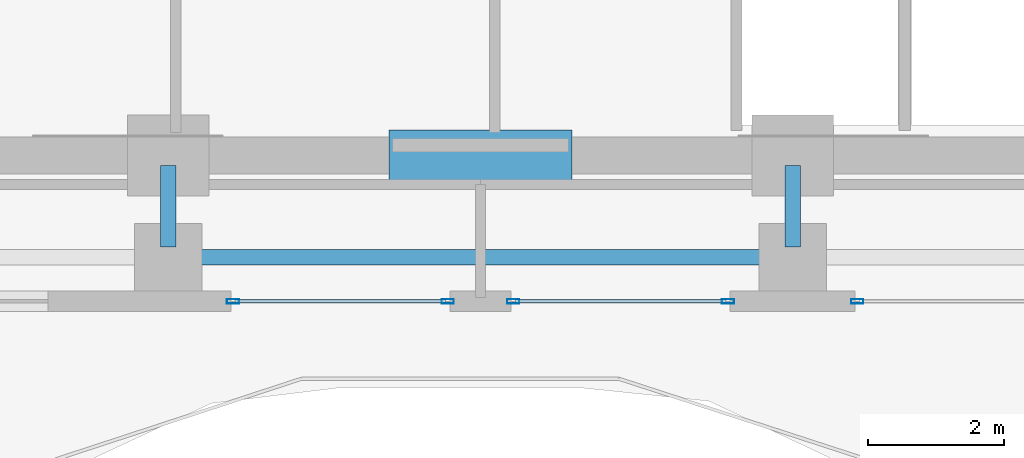
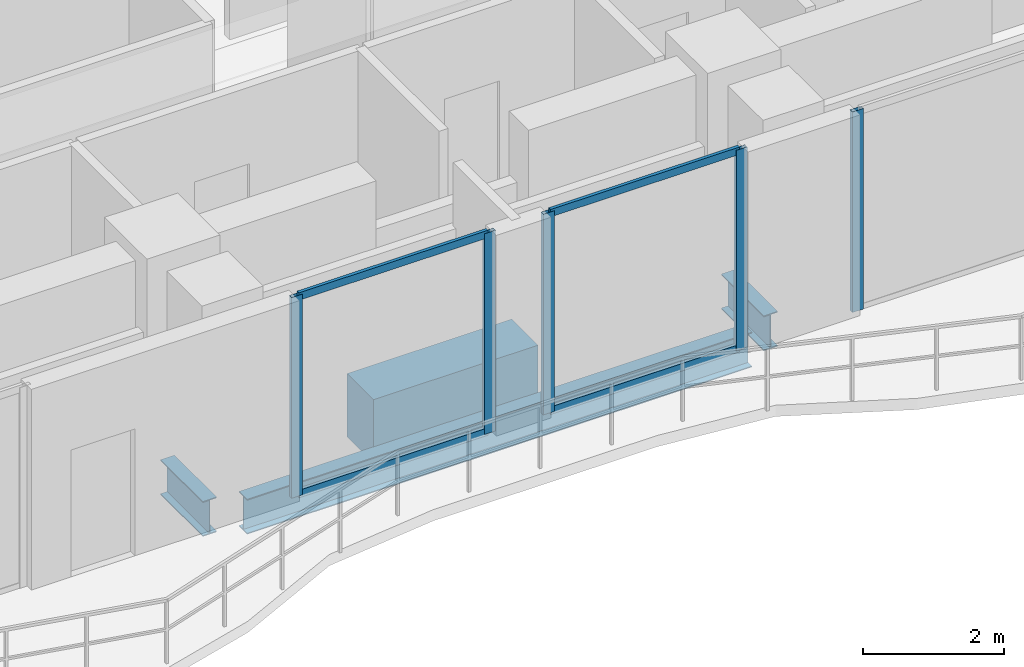
# One storey, part 4 of 26: 9 members, 4 beams, 3 elements without a shape of their own.
"""IFC4 building model written with IfcOpenShell, lengths in metres."""

from ifc_helpers import new_model, si_unit, direction, frame, origin, origin_2d, place, context, subcontext, project, spatial, rectangle, hollow_rectangle, i_section, extrude, material, layer, layer_set, material_profile, profile_set, type_object, element, aggregate, save


model = new_model("IFC4")

# Units and contexts
model_context = context("Model", 3, precision=1e-05, world=origin(), true_north=direction((0.0, 1.0)))
body_context = subcontext(model_context, "Body", "Model", "MODEL_VIEW")
ifc_project = project(units=[si_unit("LENGTHUNIT", "METRE"), si_unit("AREAUNIT", "SQUARE_METRE"), si_unit("VOLUMEUNIT", "CUBIC_METRE"), si_unit("PLANEANGLEUNIT", "RADIAN"), si_unit("MASSUNIT", "GRAM", prefix="KILO")], contexts=[model_context])

# Site, building, storey
site_placement = place(None, origin())
site = spatial("IfcSite", under=ifc_project, at=site_placement, CompositionType="ELEMENT")
building_placement = place(site_placement, origin())
building = spatial("IfcBuilding", under=site, at=building_placement, Name="Zuhayl Quay Hotel", CompositionType="ELEMENT")
storey_placement = place(building_placement, frame((0.0, 0.0, 254.449951171875)))
storey = spatial("IfcBuildingStorey", under=building, at=storey_placement, Name="L64", CompositionType="ELEMENT", Elevation=254.449951171875)

# Beams
ifc_material_1 = material(Name="Steel ASTM A992 Grade 50", Category="steel")
ifc_material_profile_1 = material_profile(ifc_material_1, i_section(OverallWidth=0.22802734375, OverallDepth=0.60693359375, WebThickness=0.01123046875, FlangeThickness=0.017333984375, at=origin_2d()), Name="W24X76")
ifc_profile_set_1 = profile_set([ifc_material_profile_1], Name="Steel ASTM A992 Grade 50")
beam_type_1 = type_object("IfcBeamType", Name="BM_B3_W24X76", PredefinedType="BEAM", material=ifc_profile_set_1)
beam_1_placement = place(storey_placement, frame((-4.139892578125, 0.64990234375, -0.5234375), z_axis=(1.0, 0.0, 0.0), x_axis=(0.0, 1.0, 0.0)))
element("IfcBeam", 1, at=beam_1_placement, inside=storey, type_object=beam_type_1, Name="L64 Floor Beam RG_L64_02", PredefinedType="BEAM", context=body_context, shape_type="SweptSolid", body=[
    extrude(i_section(OverallWidth=0.22802734375, OverallDepth=0.60693359375, WebThickness=0.01123046875, FlangeThickness=0.017333984375, at=origin_2d()), origin(), (0.0, 0.0, 1.0), 8.27978515625),
])
for number, where, z_axis, x_axis, name in (
    (2, (-4.60009765625, 0.800048828125, -0.5234375), (0.0, 1.0, 0.0), (-1.0, 0.0, 0.0), "L64 Floor Beam FG_S_L64_2"),
    (3, (4.60009765625, 0.800048828125, -0.5234375), (0.0, 1.0, 0.0), (-1.0, 0.0, 0.0), "L64 Floor Beam FG_S_L64_3"),
):
    element("IfcBeam", number, at=place(storey_placement, frame(where, z_axis=z_axis, x_axis=x_axis)), inside=storey, type_object=beam_type_1, Name=name, PredefinedType="BEAM", context=body_context, shape_type="SweptSolid", body=[
        extrude(i_section(OverallWidth=0.22802734375, OverallDepth=0.60693359375, WebThickness=0.01123046875, FlangeThickness=0.017333984375, at=origin_2d()), origin(), (0.0, 0.0, 1.0), 1.199951171875),
    ])
ifc_material_2 = material(Name="Concrete C60/75", Category="concrete")
ifc_material_profile_2 = material_profile(ifc_material_2, rectangle(XDim=0.75, YDim=1.10009765625, at=origin_2d()), Name="RC750X1100")
ifc_profile_set_2 = profile_set([ifc_material_profile_2], Name="Concrete C60/75")
beam_type_2 = type_object("IfcBeamType", Name="BM_CB2_RC750", PredefinedType="T_BEAM", material=ifc_profile_set_2)
beam_2_placement = place(storey_placement, frame((-1.35009765625, 2.14990234375, -0.77001953125), z_axis=(1.0, 0.0, 0.0), x_axis=(0.0, 1.0, 0.0)))
element("IfcBeam", 4, at=beam_2_placement, inside=storey, type_object=beam_type_2, Name="L64 Core Coupling Beam South", PredefinedType="T_BEAM", context=body_context, shape_type="SweptSolid", body=[
    extrude(rectangle(XDim=0.75, YDim=1.10009765625, at=origin_2d()), origin(), (0.0, 0.0, 1.0), 2.7001953125),
])

# Curtain wall, member
ifc_material_3 = material(Name="Anodised Aluminium 6063-T6", Category="aluminium")
ifc_layer = layer(ifc_material_3, 0.169921875, Name="Anodised Aluminium 6063-T6", Category="aluminium")
ifc_layer_set = layer_set([ifc_layer], Name="Anodised Aluminium 6063-T6")
curtain_wall_type = type_object("IfcCurtainWallType", Name="CW_SYS_Z4", PredefinedType="USERDEFINED", material=ifc_layer_set)
curtain_wall_1_placement = place(storey_placement, origin())
curtain_wall_1 = element("IfcCurtainWall", 5, at=curtain_wall_1_placement, inside=storey, type_object=curtain_wall_type, Name="L64 Curtain Wall ENV_L64_S_CW1", ObjectType="UNITISED CURTAIN WALL", PredefinedType="USERDEFINED")
ifc_material_4 = material(Name="Black-anodised aluminium 6063-T6", Category="aluminium")
ifc_material_profile_3 = material_profile(ifc_material_4, hollow_rectangle(XDim=0.06494140625, YDim=0.179931640625, WallThickness=0.00341796875, at=origin_2d()), Name="ALU180X65")
ifc_profile_set_3 = profile_set([ifc_material_profile_3], Name="Black-anodised aluminium 6063-T6")
member_type_1 = type_object("IfcMemberType", Name="MB_CW_MUL_180", PredefinedType="MULLION", material=ifc_profile_set_3)
member_1_placement = place(storey_placement, frame((5.552490234375, 0.0, 0.0), z_axis=(0.0, 0.0, 1.0), x_axis=(0.0, -1.0, 0.0)))
member_1 = element("IfcMember", 6, at=member_1_placement, type_object=member_type_1, Name="CW-Z4 mullion 2", PredefinedType="MULLION", context=body_context, shape_type="SweptSolid", body=[
    extrude(hollow_rectangle(XDim=0.06494140625, YDim=0.179931640625, WallThickness=0.00341796875, at=origin_2d()), origin(), (0.0, 0.0, 1.0), 3.47998046875),
])
aggregate(curtain_wall_1, [member_1])

# Curtain wall, members
curtain_wall_2_placement = place(storey_placement, origin())
curtain_wall_2 = element("IfcCurtainWall", 7, at=curtain_wall_2_placement, inside=storey, type_object=curtain_wall_type, Name="L64 Curtain Wall ENV_L64_S_CW2", ObjectType="UNITISED CURTAIN WALL", PredefinedType="USERDEFINED")
member_2_placement = place(storey_placement, frame((3.6474609375, 0.0, 0.0), z_axis=(0.0, 0.0, 1.0), x_axis=(0.0, -1.0, 0.0)))
member_2 = element("IfcMember", 8, at=member_2_placement, type_object=member_type_1, Name="CW-Z4 mullion 1", PredefinedType="MULLION", context=body_context, shape_type="SweptSolid", body=[
    extrude(hollow_rectangle(XDim=0.06494140625, YDim=0.179931640625, WallThickness=0.00341796875, at=origin_2d()), origin(), (0.0, 0.0, 1.0), 3.47998046875),
])
member_3_placement = place(storey_placement, frame((0.482421875, 0.0, 0.0), z_axis=(0.0, 0.0, 1.0), x_axis=(0.0, -1.0, 0.0)))
member_3 = element("IfcMember", 9, at=member_3_placement, type_object=member_type_1, Name="CW-Z4 mullion 2", PredefinedType="MULLION", context=body_context, shape_type="SweptSolid", body=[
    extrude(hollow_rectangle(XDim=0.06494140625, YDim=0.179931640625, WallThickness=0.00341796875, at=origin_2d()), origin(), (0.0, 0.0, 1.0), 3.47998046875),
])

curtain_wall_3_placement = place(storey_placement, origin())
curtain_wall_3 = element("IfcCurtainWall", 10, at=curtain_wall_3_placement, inside=storey, type_object=curtain_wall_type, Name="L64 Curtain Wall ENV_L64_S_CW3", ObjectType="UNITISED CURTAIN WALL", PredefinedType="USERDEFINED")
member_4_placement = place(storey_placement, frame((-0.482421875, 0.0, 0.0), z_axis=(0.0, 0.0, 1.0), x_axis=(0.0, -1.0, 0.0)))
member_4 = element("IfcMember", 11, at=member_4_placement, type_object=member_type_1, Name="CW-Z4 mullion 1", PredefinedType="MULLION", context=body_context, shape_type="SweptSolid", body=[
    extrude(hollow_rectangle(XDim=0.06494140625, YDim=0.179931640625, WallThickness=0.00341796875, at=origin_2d()), origin(), (0.0, 0.0, 1.0), 3.47998046875),
])
member_5_placement = place(storey_placement, frame((-3.6474609375, 0.0, 0.0), z_axis=(0.0, 0.0, 1.0), x_axis=(0.0, -1.0, 0.0)))
member_5 = element("IfcMember", 12, at=member_5_placement, type_object=member_type_1, Name="CW-Z4 mullion 2", PredefinedType="MULLION", context=body_context, shape_type="SweptSolid", body=[
    extrude(hollow_rectangle(XDim=0.06494140625, YDim=0.179931640625, WallThickness=0.00341796875, at=origin_2d()), origin(), (0.0, 0.0, 1.0), 3.47998046875),
])

# Member
ifc_material_profile_4 = material_profile(ifc_material_4, hollow_rectangle(XDim=0.054931640625, YDim=0.1298828125, WallThickness=0.0029296875, at=origin_2d()), Name="ALU130X55")
ifc_profile_set_4 = profile_set([ifc_material_profile_4], Name="Black-anodised aluminium 6063-T6")
member_type_2 = type_object("IfcMemberType", Name="MB_CW_TRN_130", PredefinedType="USERDEFINED", material=ifc_profile_set_4)
member_6_placement = place(storey_placement, frame((3.614990234375, 0.0, 0.027587890625), z_axis=(-1.0, 0.0, 0.0), x_axis=(0.0, -1.0, 0.0)))
member_6 = element("IfcMember", 13, at=member_6_placement, type_object=member_type_2, Name="CW-Z4 transom 1.1", ObjectType="TRANSOM", PredefinedType="USERDEFINED", context=body_context, shape_type="SweptSolid", body=[
    extrude(hollow_rectangle(XDim=0.054931640625, YDim=0.1298828125, WallThickness=0.0029296875, at=origin_2d()), origin(), (0.0, 0.0, 1.0), 3.10009765625),
])

member_7_placement = place(storey_placement, frame((3.614990234375, 0.0, 3.45263671875), z_axis=(-1.0, 0.0, 0.0), x_axis=(0.0, -1.0, 0.0)))
member_7 = element("IfcMember", 14, at=member_7_placement, type_object=member_type_2, Name="CW-Z4 transom 1.2", ObjectType="TRANSOM", PredefinedType="USERDEFINED", context=body_context, shape_type="SweptSolid", body=[
    extrude(hollow_rectangle(XDim=0.054931640625, YDim=0.1298828125, WallThickness=0.0029296875, at=origin_2d()), origin(), (0.0, 0.0, 1.0), 3.10009765625),
])

aggregate(curtain_wall_2, [member_2, member_3, member_6, member_7])

member_8_placement = place(storey_placement, frame((-0.514892578125, 0.0, 0.027587890625), z_axis=(-1.0, 0.0, 0.0), x_axis=(0.0, -1.0, 0.0)))
member_8 = element("IfcMember", 15, at=member_8_placement, type_object=member_type_2, Name="CW-Z4 transom 1.1", ObjectType="TRANSOM", PredefinedType="USERDEFINED", context=body_context, shape_type="SweptSolid", body=[
    extrude(hollow_rectangle(XDim=0.054931640625, YDim=0.1298828125, WallThickness=0.0029296875, at=origin_2d()), origin(), (0.0, 0.0, 1.0), 3.10009765625),
])

member_9_placement = place(storey_placement, frame((-0.514892578125, 0.0, 3.45263671875), z_axis=(-1.0, 0.0, 0.0), x_axis=(0.0, -1.0, 0.0)))
member_9 = element("IfcMember", 16, at=member_9_placement, type_object=member_type_2, Name="CW-Z4 transom 1.2", ObjectType="TRANSOM", PredefinedType="USERDEFINED", context=body_context, shape_type="SweptSolid", body=[
    extrude(hollow_rectangle(XDim=0.054931640625, YDim=0.1298828125, WallThickness=0.0029296875, at=origin_2d()), origin(), (0.0, 0.0, 1.0), 3.10009765625),
])

aggregate(curtain_wall_3, [member_4, member_5, member_8, member_9])

save(model, "model.ifc")
